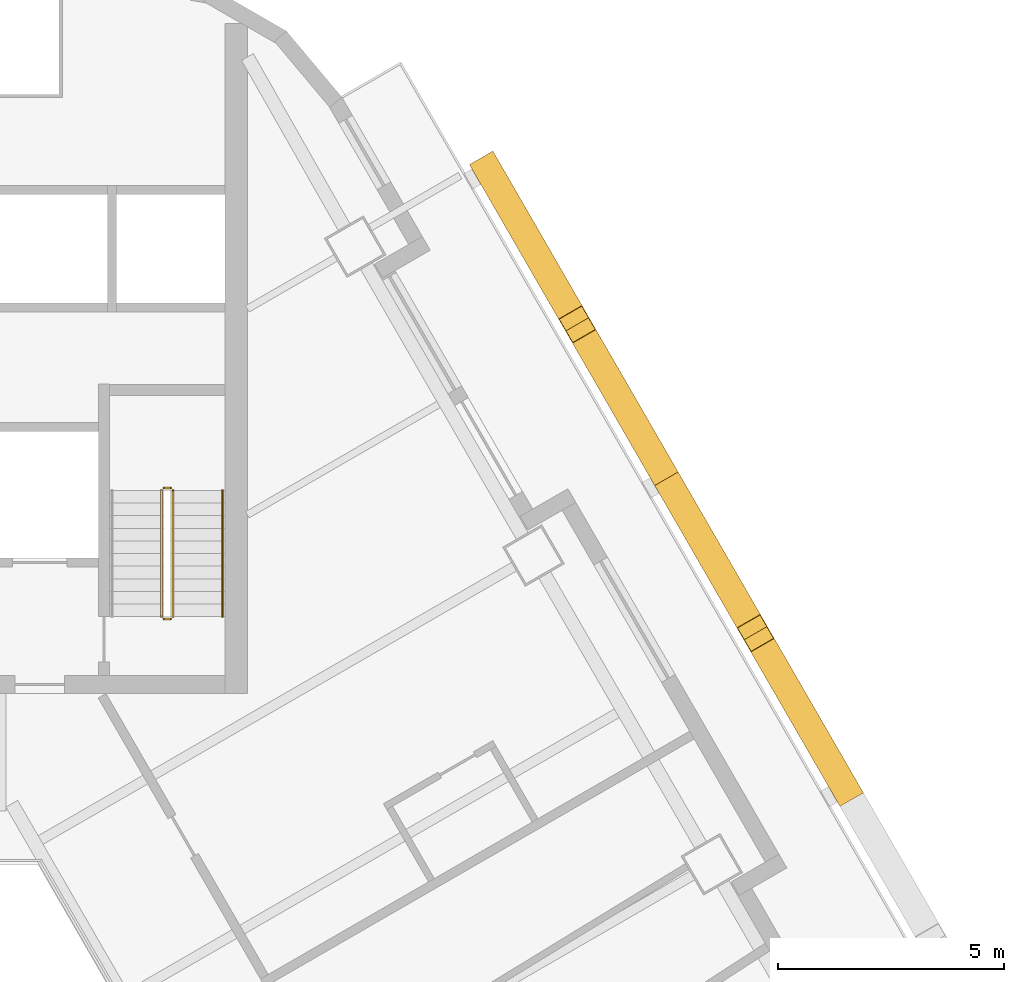
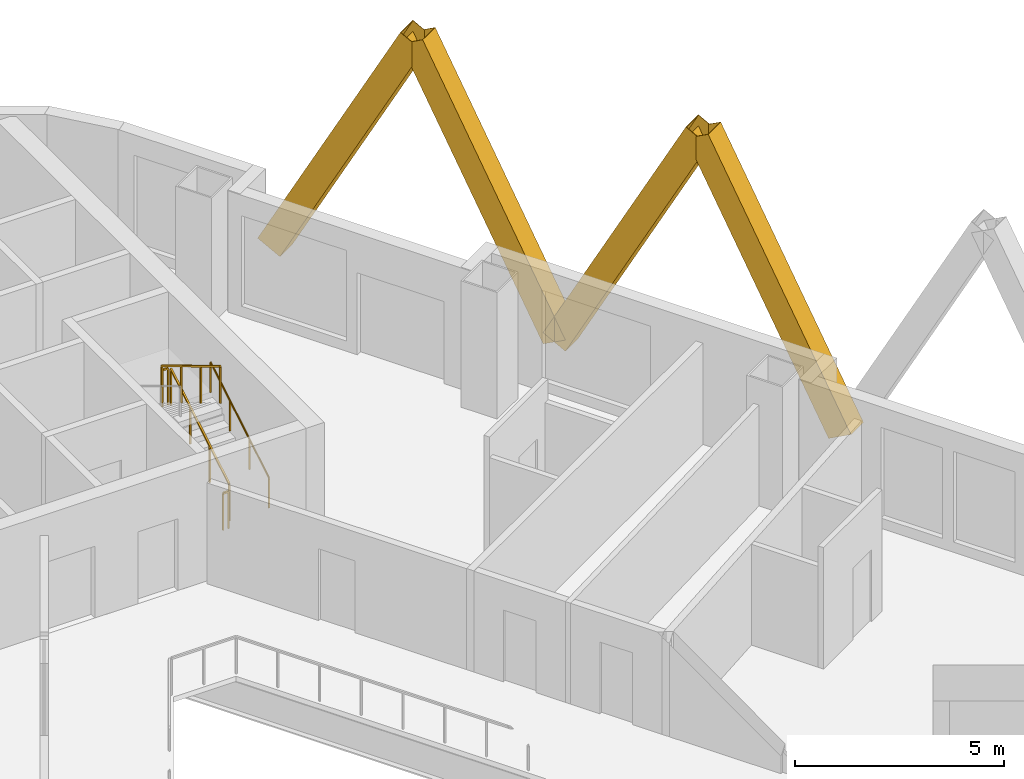
# One storey, part 13 of 13: 5 railings, 4 shading devices.
"""IFC4 building model written with IfcOpenShell, lengths in metres."""

from ifc_helpers import new_model, si_unit, direction, frame, origin, origin_2d, place, context, subcontext, project, spatial, rectangle, hollow_rectangle, circle, extrude, material, material_profile, profile_set, type_object, element, save


model = new_model("IFC4")

# Units and contexts
model_context = context("Model", 3, precision=1e-05, world=origin(), true_north=direction((0.0, 1.0)))
body_context = subcontext(model_context, "Body", "Model", "MODEL_VIEW")
ifc_project = project(units=[si_unit("LENGTHUNIT", "METRE"), si_unit("AREAUNIT", "SQUARE_METRE"), si_unit("VOLUMEUNIT", "CUBIC_METRE"), si_unit("PLANEANGLEUNIT", "RADIAN"), si_unit("MASSUNIT", "GRAM", prefix="KILO")], contexts=[model_context])

# Site, building, storey
site_placement = place(None, origin())
site = spatial("IfcSite", under=ifc_project, at=site_placement, CompositionType="ELEMENT")
building_placement = place(site_placement, origin())
building = spatial("IfcBuilding", under=site, at=building_placement, Name="Apuvela Tower Hotel", CompositionType="ELEMENT")
storey_placement = place(building_placement, frame((0.0, 0.0, 61.300048828125)))
storey = spatial("IfcBuildingStorey", under=building, at=storey_placement, Name="L12", CompositionType="ELEMENT", Elevation=61.300048828125)

# Railings
ifc_material_1 = material(Name="Steel S275 balustrade", Category="steel")
railing_type_1 = type_object("IfcRailingType", Name="COR-GUARD-1100", PredefinedType="GUARDRAIL", material=ifc_material_1)
railing_1_placement = place(storey_placement, frame((3.85009765625, 14.60009765625, 0.168212890625)))
element("IfcRailing", 1, at=railing_1_placement, inside=storey, type_object=railing_type_1, Name="L12 ST1 stair guard 1", PredefinedType="GUARDRAIL", context=body_context, shape_type="SweptSolid", body=[
    extrude(rectangle(XDim=0.048095703125, YDim=0.048095703125, at=origin_2d()), frame((0.0, 0.0, 1.076171875), z_axis=(0.0, 0.857255387014, 0.514891446264), x_axis=(-1.0, 0.0, 0.0)), (0.0, 0.0, 1.0), 3.26611328125),
    extrude(rectangle(XDim=0.0419921875, YDim=0.0419921875, at=origin_2d()), origin(), (0.0, 0.0, 1.0), 1.052001953125),
    extrude(rectangle(XDim=0.0419921875, YDim=0.0419921875, at=origin_2d()), frame((0.0, 0.933349609375, 0.560546875)), (0.0, 0.0, 1.0), 1.052001953125),
    extrude(rectangle(XDim=0.0419921875, YDim=0.0419921875, at=origin_2d()), frame((0.0, 1.866455078125, 1.12109375)), (0.0, 0.0, 1.0), 1.052001953125),
    extrude(rectangle(XDim=0.0419921875, YDim=0.0419921875, at=origin_2d()), frame((0.0, 2.7998046875, 1.681640625)), (0.0, 0.0, 1.0), 1.052001953125),
])
railing_2_placement = place(storey_placement, frame((3.800048828125, 17.449951171875, 1.849853515625)))
element("IfcRailing", 2, at=railing_2_placement, inside=storey, type_object=railing_type_1, Name="L12 ST1 stair guard 2", PredefinedType="GUARDRAIL", context=body_context, shape_type="SweptSolid", body=[
    extrude(rectangle(XDim=0.048095703125, YDim=0.048095703125, at=origin_2d()), frame((0.0, 0.0, 1.076171875), z_axis=(-1.0, 0.0, 0.0), x_axis=(0.0, -1.0, 0.0)), (0.0, 0.0, 1.0), 0.150146484375),
    extrude(rectangle(XDim=0.0419921875, YDim=0.0419921875, at=origin_2d()), origin(), (0.0, 0.0, 1.0), 1.052001953125),
    extrude(rectangle(XDim=0.0419921875, YDim=0.0419921875, at=origin_2d()), frame((-0.150146484375, 0.0, 0.0)), (0.0, 0.0, 1.0), 1.052001953125),
])
railing_3_placement = place(storey_placement, frame((3.60009765625, 17.39990234375, 2.01806640625)))
element("IfcRailing", 3, at=railing_3_placement, inside=storey, type_object=railing_type_1, Name="L12 ST1 stair guard 3", PredefinedType="GUARDRAIL", context=body_context, shape_type="SweptSolid", body=[
    extrude(rectangle(XDim=0.048095703125, YDim=0.048095703125, at=origin_2d()), frame((0.0, 0.0, 1.076171875), z_axis=(0.0, -0.857222391501, 0.514946377315), x_axis=(1.0, 0.0, 0.0)), (0.0, 0.0, 1.0), 3.26611328125),
    extrude(rectangle(XDim=0.0419921875, YDim=0.0419921875, at=origin_2d()), origin(), (0.0, 0.0, 1.0), 1.052001953125),
    extrude(rectangle(XDim=0.0419921875, YDim=0.0419921875, at=origin_2d()), frame((0.0, -0.933349609375, 0.560546875)), (0.0, 0.0, 1.0), 1.052001953125),
    extrude(rectangle(XDim=0.0419921875, YDim=0.0419921875, at=origin_2d()), frame((0.0, -1.866455078125, 1.121337890625)), (0.0, 0.0, 1.0), 1.052001953125),
    extrude(rectangle(XDim=0.0419921875, YDim=0.0419921875, at=origin_2d()), frame((0.0, -2.7998046875, 1.681884765625)), (0.0, 0.0, 1.0), 1.052001953125),
])
railing_4_placement = place(storey_placement, frame((3.800048828125, 14.550048828125, 0.0)))
element("IfcRailing", 4, at=railing_4_placement, inside=storey, type_object=railing_type_1, Name="L12 ST1 stair guard 4", PredefinedType="GUARDRAIL", context=body_context, shape_type="SweptSolid", body=[
    extrude(rectangle(XDim=0.048095703125, YDim=0.048095703125, at=origin_2d()), frame((0.0, 0.0, 1.076171875), z_axis=(-1.0, 0.0, 0.0), x_axis=(0.0, -1.0, 0.0)), (0.0, 0.0, 1.0), 0.150146484375),
    extrude(rectangle(XDim=0.0419921875, YDim=0.0419921875, at=origin_2d()), origin(), (0.0, 0.0, 1.0), 1.052001953125),
    extrude(rectangle(XDim=0.0419921875, YDim=0.0419921875, at=origin_2d()), frame((-0.150146484375, 0.0, 0.0)), (0.0, 0.0, 1.0), 1.052001953125),
])
ifc_material_2 = material(Name="Stainless steel 316 handrail", Category="steel")
railing_type_2 = type_object("IfcRailingType", Name="COR-HANDRAIL-900", PredefinedType="HANDRAIL", material=ifc_material_2)
railing_5_placement = place(storey_placement, frame((4.949951171875, 14.60009765625, 0.168212890625)))
element("IfcRailing", 5, at=railing_5_placement, inside=storey, type_object=railing_type_2, Name="L12 ST1 stair handrail 1", PredefinedType="HANDRAIL", context=body_context, shape_type="SweptSolid", body=[
    extrude(circle(Radius=0.02392578125, at=origin_2d()), frame((0.0, 0.0, 0.8759765625), z_axis=(0.0, 0.857255387014, 0.514891446264), x_axis=(-1.0, 0.0, 0.0)), (0.0, 0.0, 1.0), 3.26611328125),
    extrude(rectangle(XDim=0.0419921875, YDim=0.0419921875, at=origin_2d()), origin(), (0.0, 0.0, 1.0), 0.851806640625),
    extrude(rectangle(XDim=0.0419921875, YDim=0.0419921875, at=origin_2d()), frame((0.0, 0.933349609375, 0.560546875)), (0.0, 0.0, 1.0), 0.851806640625),
    extrude(rectangle(XDim=0.0419921875, YDim=0.0419921875, at=origin_2d()), frame((0.0, 1.866455078125, 1.12109375)), (0.0, 0.0, 1.0), 0.851806640625),
    extrude(rectangle(XDim=0.0419921875, YDim=0.0419921875, at=origin_2d()), frame((0.0, 2.7998046875, 1.681640625)), (0.0, 0.0, 1.0), 0.851806640625),
])

# Shading devices
ifc_material_3 = material(Name="Aluminium 6063-T6, black anodised", Category="aluminium")
ifc_material_profile = material_profile(ifc_material_3, hollow_rectangle(XDim=0.60009765625, YDim=0.699951171875, WallThickness=0.011962890625, at=origin_2d()), Name="AL BOX 700x600x12")
ifc_profile_set = profile_set([ifc_material_profile], Name="Aluminium 6063-T6, black anodised")
shading_device_type = type_object("IfcShadingDeviceType", Name="ENV-FIN-700x600", PredefinedType="USERDEFINED", material=ifc_profile_set)
for number, where, z_axis, x_axis, name in (
    (6, (18.732177734375, 10.81494140625, -0.10009765625), (-0.235455039791, 0.407811621453, 0.882185131163), (-0.866020906874, -0.500007788796, 0.0), "Lattice fin NE69"),
    (7, (14.781982421875, 17.656494140625, -0.10009765625), (0.235457834389, -0.407787356937, 0.88219560175), (0.866005453737, 0.500034552904, 0.0), "Lattice fin NE70"),
    (8, (14.781982421875, 17.656494140625, -0.10009765625), (-0.235427548578, 0.407814415956, 0.882191176281), (-0.866047669374, -0.499961432884, 0.0), "Lattice fin NE71"),
    (9, (10.83203125, 24.498291015625, -0.10009765625), (0.235455039791, -0.407811621453, 0.882185131163), (0.866020906874, 0.500007788796, 0.0), "Lattice fin NE72"),
):
    element("IfcShadingDevice", number, at=place(storey_placement, frame(where, z_axis=z_axis, x_axis=x_axis)), inside=storey, type_object=shading_device_type, Name=name, ObjectType="FIN", PredefinedType="USERDEFINED", context=body_context, shape_type="SweptSolid", body=[
        extrude(hollow_rectangle(XDim=0.60009765625, YDim=0.699951171875, WallThickness=0.011962890625, at=origin_2d()), origin(), (0.0, 0.0, 1.0), 8.388427734375),
    ])

save(model, "model.ifc")
